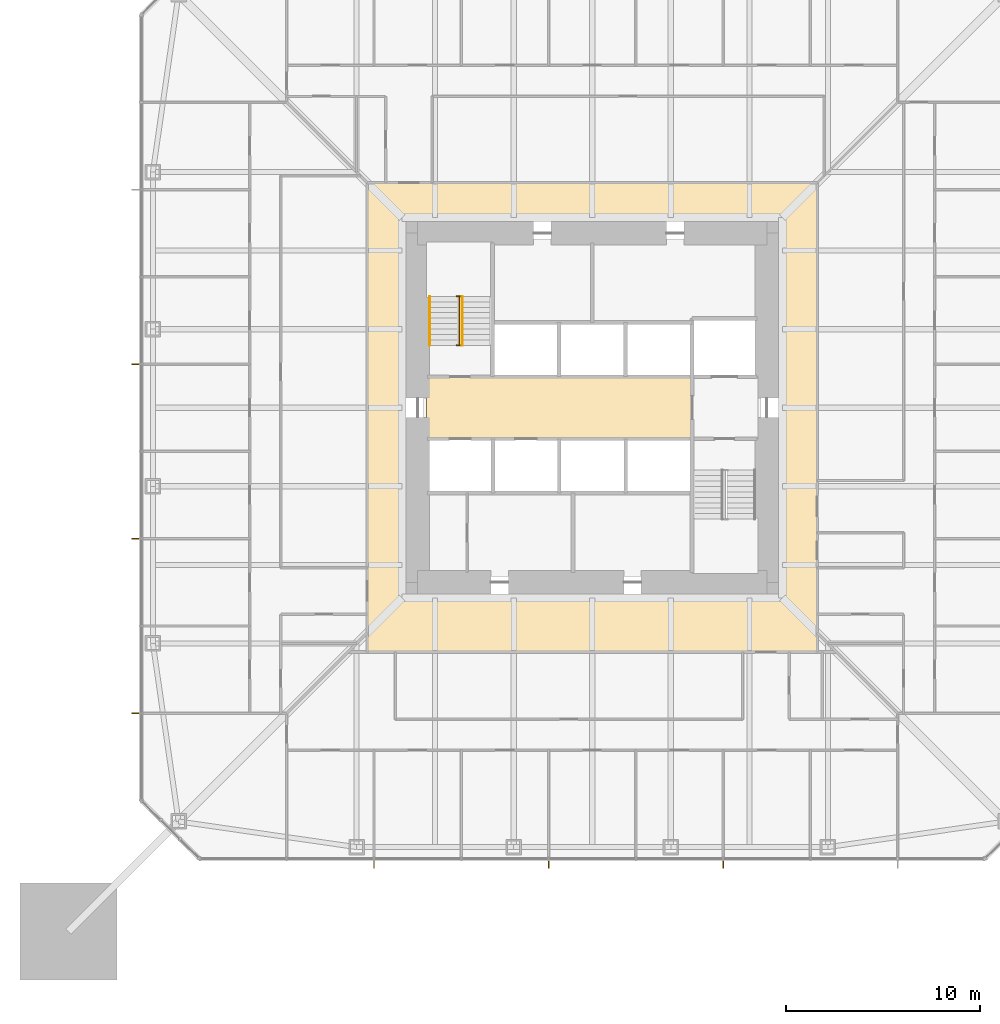
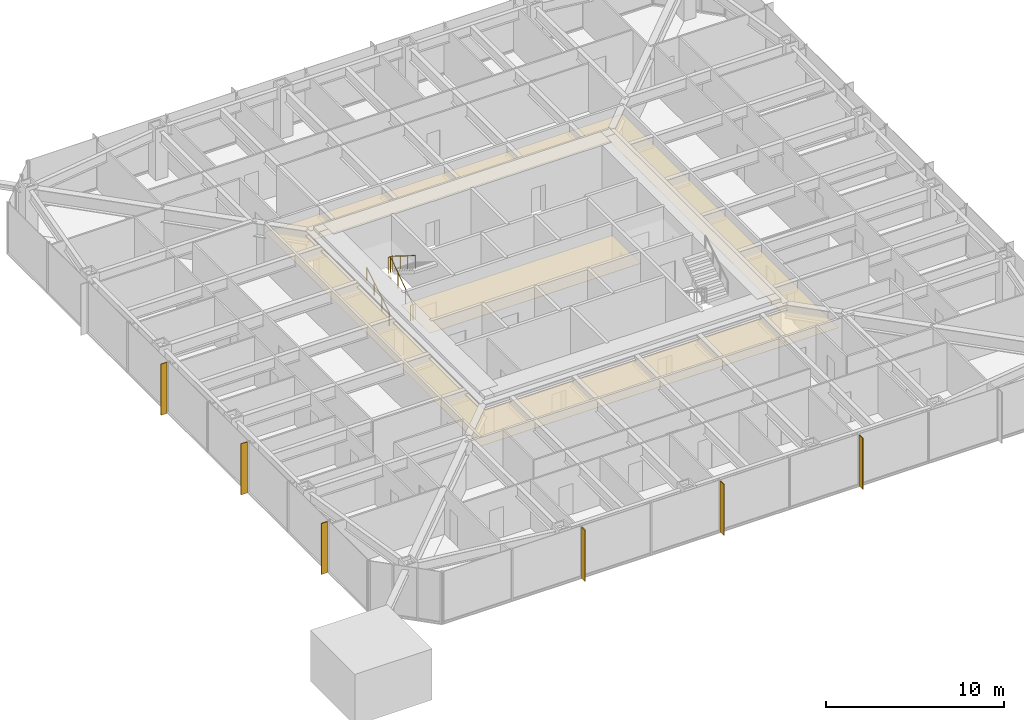
# One storey, part 23 of 26: 6 shading devices, 3 railings, 2 coverings.
"""IFC4 building model written with IfcOpenShell, lengths in metres."""

from ifc_helpers import new_model, si_unit, direction, frame, origin, origin_2d, place, context, subcontext, project, spatial, polyline, rectangle, circle, outline, extrude, material, layer, layer_set, constituent, constituent_set, type_object, element, save


model = new_model("IFC4")

# Units and contexts
model_context = context("Model", 3, precision=1e-05, world=origin(), true_north=direction((0.0, 1.0)))
body_context = subcontext(model_context, "Body", "Model", "MODEL_VIEW")
ifc_project = project(units=[si_unit("LENGTHUNIT", "METRE"), si_unit("AREAUNIT", "SQUARE_METRE"), si_unit("VOLUMEUNIT", "CUBIC_METRE"), si_unit("PLANEANGLEUNIT", "RADIAN"), si_unit("MASSUNIT", "GRAM", prefix="KILO")], contexts=[model_context])

# Site, building, storey
site_placement = place(None, origin())
site = spatial("IfcSite", under=ifc_project, at=site_placement, CompositionType="ELEMENT")
building_placement = place(site_placement, origin())
building = spatial("IfcBuilding", under=site, at=building_placement, Name="Iwan Alto Co-Living Towers", CompositionType="ELEMENT")
storey_placement = place(building_placement, frame((0.0, 0.0, 22.0)))
storey = spatial("IfcBuildingStorey", under=building, at=storey_placement, Name="L05", CompositionType="ELEMENT", Elevation=22.0)

# Covering
ifc_material_1 = material(Name="Mineral fibre acoustic tiles on steel grid", Category="steel")
ifc_layer_1 = layer(ifc_material_1, 0.02001953125)
ifc_layer_set_1 = layer_set([ifc_layer_1], Name="ACOUSTIC TILE CEILING 20")
covering_type_1 = type_object("IfcCoveringType", Name="ACOUSTIC TILE CEILING 20", PredefinedType="CEILING", material=ifc_layer_set_1)
covering_1_placement = place(storey_placement, frame((0.0, 0.0, 2.60009765625)))
element("IfcCovering", 1, at=covering_1_placement, inside=storey, type_object=covering_type_1, Name="Ceiling Lift lobby L05", PredefinedType="CEILING", context=body_context, shape_type="SweptSolid", body=[
    extrude(outline(polyline([(-8.550048828125, -1.60009765625), (-8.550048828125, 1.60009765625), (5.14990234375, 1.60009765625), (5.14990234375, -1.60009765625), (-8.550048828125, -1.60009765625)])), origin(), (0.0, 0.0, 1.0), 0.02001953125),
])

# Shading devices
ifc_material_2 = material(Name="Aluminium 6063-T6 bronze anodised", Category="aluminium")
ifc_layer_2 = layer(ifc_material_2, 0.050048828125)
ifc_layer_set_2 = layer_set([ifc_layer_2], Name="BRONZE FIN 50X400")
shading_device_type = type_object("IfcShadingDeviceType", Name="BRONZE FIN 50X400", PredefinedType="USERDEFINED", material=ifc_layer_set_2)
for number, where, z_axis, x_axis, name in (
    (2, (-11.25, -23.550048828125, 0.0), (0.0, 0.0, 1.0), (1.0, 0.0, 0.0), "Bronze fin L05"),
    (3, (-2.25, -23.550048828125, 0.0), (0.0, 0.0, 1.0), (1.0, 0.0, 0.0), "Bronze fin L05"),
    (4, (6.75, -23.550048828125, 0.0), (0.0, 0.0, 1.0), (1.0, 0.0, 0.0), "Bronze fin L05"),
    (5, (-23.550048828125, 2.25, 0.0), (0.0, 0.0, 1.0), (0.0, -1.0, 0.0), "Bronze fin L05"),
    (6, (-23.550048828125, -6.75, 0.0), (0.0, 0.0, 1.0), (0.0, -1.0, 0.0), "Bronze fin L05"),
    (7, (-23.550048828125, -15.75, 0.0), (0.0, 0.0, 1.0), (0.0, -1.0, 0.0), "Bronze fin L05"),
):
    element("IfcShadingDevice", number, at=place(storey_placement, frame(where, z_axis=z_axis, x_axis=x_axis)), inside=storey, type_object=shading_device_type, Name=name, ObjectType="LOUVER", PredefinedType="USERDEFINED", context=body_context, shape_type="SweptSolid", body=[
        extrude(rectangle(XDim=0.050048828125, YDim=0.39990234375, at=origin_2d()), origin(), (0.0, 0.0, 1.0), 3.5),
    ])

# Railings
ifc_material_3 = material(Name="Steel ASTM A500 Gr C", Category="steel")
ifc_constituent_1 = constituent(ifc_material_3, Name="Rails and posts", Category="Framing")
ifc_material_4 = material(Name="Steel ASTM A36", Category="steel")
ifc_constituent_2 = constituent(ifc_material_4, Name="Bar infill", Category="Infill")
ifc_constituent_set = constituent_set(constituents=[ifc_constituent_1, ifc_constituent_2], Name="STAIR GUARD 1100")
railing_type_1 = type_object("IfcRailingType", Name="STAIR GUARD 1100", PredefinedType="GUARDRAIL", material=ifc_constituent_set)
railing_1_placement = place(storey_placement, frame((-6.85009765625, 3.219970703125, 0.0)))
element("IfcRailing", 8, at=railing_1_placement, inside=storey, type_object=railing_type_1, Name="Stair T1-S1 well guard L05", PredefinedType="GUARDRAIL", context=body_context, shape_type="SweptSolid", body=[
    extrude(circle(Radius=0.02392578125, at=origin_2d()), frame((0.0, 0.0, 1.076171875), z_axis=(0.0, 0.821372036852, 0.570392826987), x_axis=(-1.0, 0.0, 0.0)), (0.0, 0.0, 1.0), 3.068115234375),
    extrude(circle(Radius=0.02392578125, at=origin_2d()), frame((-0.14990234375, 0.0, 1.076171875), z_axis=(1.0, 0.0, 0.0), x_axis=(0.0, 1.0, 0.0)), (0.0, 0.0, 1.0), 0.300048828125),
    extrude(circle(Radius=0.02392578125, at=origin_2d()), frame((-0.14990234375, 2.52001953125, 2.826171875), z_axis=(1.0, 0.0, 0.0), x_axis=(0.0, 1.0, 0.0)), (0.0, 0.0, 1.0), 0.300048828125),
    extrude(circle(Radius=0.02099609375, at=origin_2d()), origin(), (0.0, 0.0, 1.0), 1.052001953125),
    extrude(circle(Radius=0.02099609375, at=origin_2d()), frame((0.0, 0.840087890625, 0.583251953125)), (0.0, 0.0, 1.0), 1.052001953125),
    extrude(circle(Radius=0.02099609375, at=origin_2d()), frame((0.0, 1.679931640625, 1.166748046875)), (0.0, 0.0, 1.0), 1.052001953125),
    extrude(circle(Radius=0.02099609375, at=origin_2d()), frame((0.0, 2.52001953125, 1.75)), (0.0, 0.0, 1.0), 1.052001953125),
    extrude(circle(Radius=0.02099609375, at=origin_2d()), frame((-0.14990234375, 0.0, 0.0)), (0.0, 0.0, 1.0), 1.052001953125),
    extrude(circle(Radius=0.02099609375, at=origin_2d()), frame((0.150146484375, 0.0, 0.0)), (0.0, 0.0, 1.0), 1.052001953125),
    extrude(circle(Radius=0.02099609375, at=origin_2d()), frame((-0.14990234375, 2.52001953125, 1.75)), (0.0, 0.0, 1.0), 1.052001953125),
    extrude(circle(Radius=0.02099609375, at=origin_2d()), frame((0.150146484375, 2.52001953125, 1.75)), (0.0, 0.0, 1.0), 1.052001953125),
])
ifc_material_5 = material(Name="Steel ASTM A500 Gr C", Category="steel")
railing_type_2 = type_object("IfcRailingType", Name="STAIR HANDRAIL 900", PredefinedType="HANDRAIL", material=ifc_material_5)
railing_2_placement = place(storey_placement, frame((-8.3798828125, 3.219970703125, 0.175048828125)))
element("IfcRailing", 9, at=railing_2_placement, inside=storey, type_object=railing_type_2, Name="Stair T1-S1 handrail 1 L05", PredefinedType="HANDRAIL", context=body_context, shape_type="SweptSolid", body=[
    extrude(circle(Radius=0.02392578125, at=origin_2d()), frame((0.0, 0.0, 0.8759765625), z_axis=(0.0, 0.848007534815, 0.529984170421), x_axis=(-1.0, 0.0, 0.0)), (0.0, 0.0, 1.0), 2.9716796875),
    extrude(circle(Radius=0.02099609375, at=origin_2d()), origin(), (0.0, 0.0, 1.0), 0.851806640625),
    extrude(circle(Radius=0.02099609375, at=origin_2d()), frame((0.0, 0.840087890625, 0.52490234375)), (0.0, 0.0, 1.0), 0.851806640625),
    extrude(circle(Radius=0.02099609375, at=origin_2d()), frame((0.0, 1.679931640625, 1.050048828125)), (0.0, 0.0, 1.0), 0.851806640625),
    extrude(circle(Radius=0.02099609375, at=origin_2d()), frame((0.0, 2.52001953125, 1.574951171875)), (0.0, 0.0, 1.0), 0.851806640625),
])
railing_3_placement = place(storey_placement, frame((-6.699951171875, 5.739990234375, 1.925048828125)))
element("IfcRailing", 10, at=railing_3_placement, inside=storey, type_object=railing_type_2, Name="Stair T1-S1 handrail 2 L05", PredefinedType="HANDRAIL", context=body_context, shape_type="SweptSolid", body=[
    extrude(circle(Radius=0.02392578125, at=origin_2d()), frame((0.0, 0.0, 0.8759765625), z_axis=(0.0, -0.848007534815, 0.529984170421), x_axis=(1.0, 0.0, 0.0)), (0.0, 0.0, 1.0), 2.9716796875),
    extrude(circle(Radius=0.02099609375, at=origin_2d()), origin(), (0.0, 0.0, 1.0), 0.851806640625),
    extrude(circle(Radius=0.02099609375, at=origin_2d()), frame((0.0, -0.840087890625, 0.52490234375)), (0.0, 0.0, 1.0), 0.851806640625),
    extrude(circle(Radius=0.02099609375, at=origin_2d()), frame((0.0, -1.679931640625, 1.050048828125)), (0.0, 0.0, 1.0), 0.851806640625),
    extrude(circle(Radius=0.02099609375, at=origin_2d()), frame((0.0, -2.52001953125, 1.574951171875)), (0.0, 0.0, 1.0), 0.851806640625),
])

# Covering
ifc_material_6 = material(Name="Gypsum plasterboard on steel grid", Category="steel")
ifc_layer_3 = layer(ifc_material_6, 0.014892578125)
ifc_layer_set_3 = layer_set([ifc_layer_3], Name="SUSPENDED PLASTERBOARD CEILING 15")
covering_type_2 = type_object("IfcCoveringType", Name="SUSPENDED PLASTERBOARD CEILING 15", PredefinedType="CEILING", material=ifc_layer_set_3)
covering_2_placement = place(storey_placement, frame((0.0, 0.0, 2.60009765625)))
element("IfcCovering", 11, at=covering_2_placement, inside=storey, type_object=covering_type_2, Name="Ceiling Corridor L05", PredefinedType="CEILING", context=body_context, shape_type="SweptSolid", body=[
    extrude(outline(polyline([(-11.60009765625, 11.60009765625), (11.60009765625, 11.60009765625), (11.60009765625, -12.60009765625), (-11.60009765625, -12.60009765625), (-11.60009765625, 11.60009765625)]), holes=[polyline([(-9.60009765625, 9.60009765625), (-9.60009765625, -9.60009765625), (9.60009765625, -9.60009765625), (9.60009765625, 9.60009765625), (-9.60009765625, 9.60009765625)])]), origin(), (0.0, 0.0, 1.0), 0.014892578125),
])

save(model, "model.ifc")
